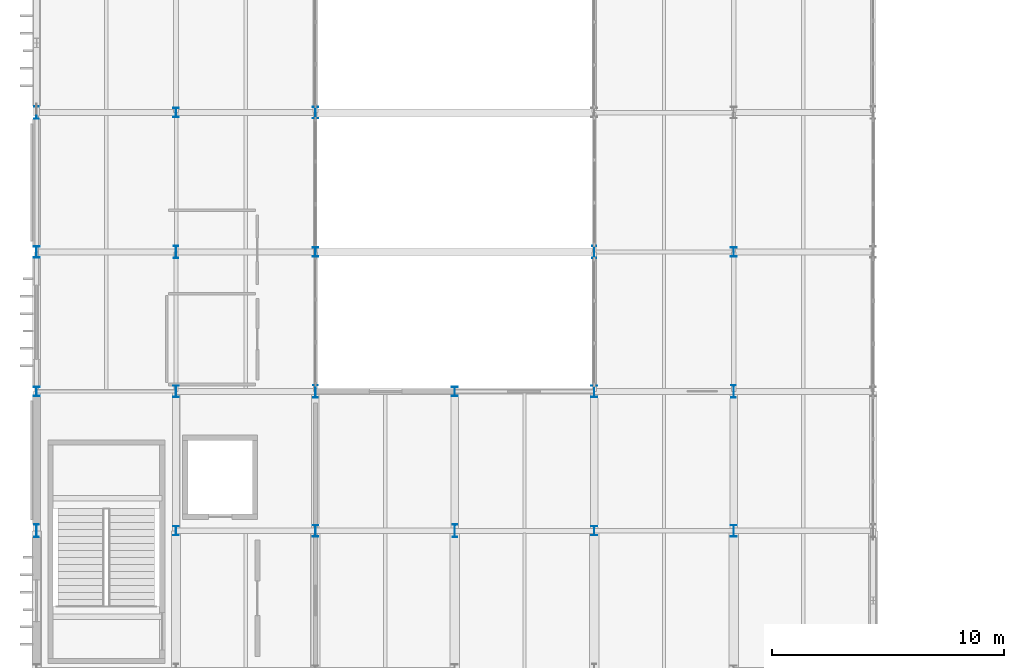
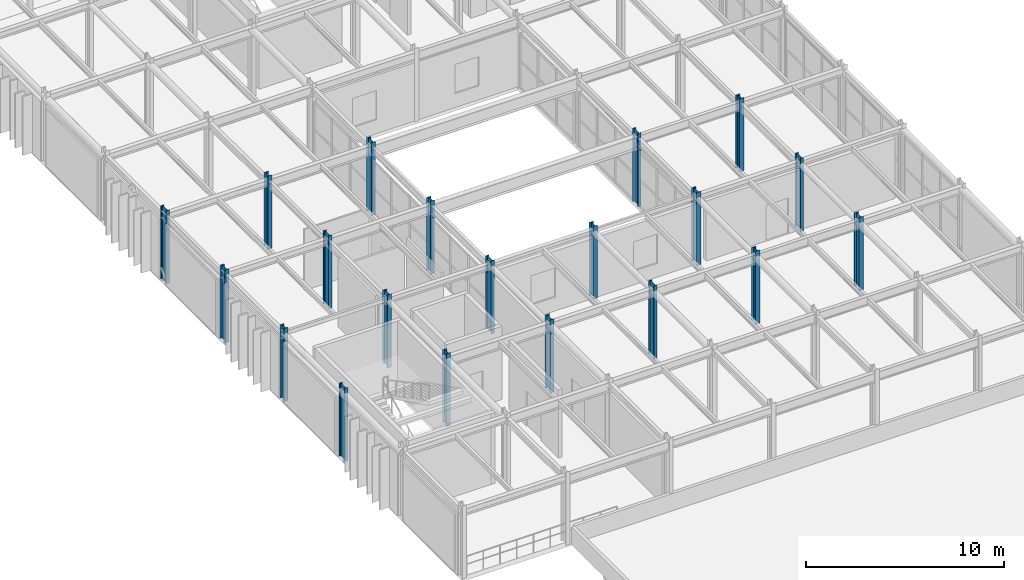
# One storey, part 3 of 84: 20 columns.
"""IFC4 building model written with IfcOpenShell, lengths in metres."""

from ifc_helpers import new_model, si_unit, direction, frame, origin, origin_2d, place, context, subcontext, project, spatial, i_section, extrude, material, material_profile, profile_set, type_object, element, save


model = new_model("IFC4")

# Units and contexts
model_context = context("Model", 3, precision=1e-05, world=origin(), true_north=direction((0.0, 1.0)))
body_context = subcontext(model_context, "Body", "Model", "MODEL_VIEW")
ifc_project = project(units=[si_unit("LENGTHUNIT", "METRE"), si_unit("AREAUNIT", "SQUARE_METRE"), si_unit("VOLUMEUNIT", "CUBIC_METRE"), si_unit("PLANEANGLEUNIT", "RADIAN"), si_unit("MASSUNIT", "GRAM", prefix="KILO")], contexts=[model_context])

# Site, building, storey
site_placement = place(None, origin())
site = spatial("IfcSite", under=ifc_project, at=site_placement, CompositionType="ELEMENT")
building_placement = place(site_placement, origin())
building = spatial("IfcBuilding", under=site, at=building_placement, Name="Varnakota Square Police Headquarters", CompositionType="ELEMENT")
storey_placement = place(building_placement, frame((0.0, 0.0, 13.5)))
storey = spatial("IfcBuildingStorey", under=building, at=storey_placement, Name="L03", CompositionType="ELEMENT", Elevation=13.5)

# Columns
ifc_material = material(Name="Steel IS 2062 Grade 350", Category="steel")
ifc_material_profile_1 = material_profile(ifc_material, i_section(OverallWidth=0.25, OverallDepth=0.39990234375, WebThickness=0.010498046875, FlangeThickness=0.0126953125, FilletRadius=0.013916015625, at=origin_2d()), Name="ISHB 400")
ifc_profile_set_1 = profile_set([ifc_material_profile_1], Name="Steel IS 2062 Grade 350")
column_type_1 = type_object("IfcColumnType", Name="COL-ISHB400", PredefinedType="COLUMN", material=ifc_profile_set_1)
for number, where, z_axis, x_axis, name in (
    (1, (6.0, 39.0, 0.0), (0.0, 0.0, 1.0), (1.0, 0.0, 0.0), "Column X0060-Y0390 L03"),
    (2, (12.0, 33.0, 0.0), (0.0, 0.0, 1.0), (1.0, 0.0, 0.0), "Column X0120-Y0330 L03"),
    (3, (12.0, 51.0, 0.0), (0.0, 0.0, 1.0), (1.0, 0.0, 0.0), "Column X0120-Y0510 L03"),
    (4, (18.0, 45.0, 0.0), (0.0, 0.0, 1.0), (1.0, 0.0, 0.0), "Column X0180-Y0450 L03"),
    (5, (24.0, 39.0, 0.0), (0.0, 0.0, 1.0), (1.0, 0.0, 0.0), "Column X0240-Y0390 L03"),
    (6, (30.0, 33.0, 0.0), (0.0, 0.0, 1.0), (1.0, 0.0, 0.0), "Column X0300-Y0330 L03"),
    (7, (36.0, 45.0, 0.0), (0.0, 0.0, 1.0), (1.0, 0.0, 0.0), "Column X0360-Y0450 L03"),
):
    element("IfcColumn", number, at=place(storey_placement, frame(where, z_axis=z_axis, x_axis=x_axis)), inside=storey, type_object=column_type_1, Name=name, PredefinedType="COLUMN", context=body_context, shape_type="SweptSolid", body=[
        extrude(i_section(OverallWidth=0.25, OverallDepth=0.39990234375, WebThickness=0.010498046875, FlangeThickness=0.0126953125, FilletRadius=0.013916015625, at=origin_2d()), origin(), (0.0, 0.0, 1.0), 4.5),
    ])
ifc_material_profile_2 = material_profile(ifc_material, i_section(OverallWidth=0.18994140625, OverallDepth=0.550048828125, WebThickness=0.01123046875, FlangeThickness=0.019287109375, FilletRadius=0.01806640625, at=origin_2d()), Name="ISMB 550")
ifc_profile_set_2 = profile_set([ifc_material_profile_2], Name="Steel IS 2062 Grade 350")
column_type_2 = type_object("IfcColumnType", Name="COL-ISMB550", PredefinedType="COLUMN", material=ifc_profile_set_2)
for number, where, z_axis, x_axis, name in (
    (8, (6.0, 33.0, 0.0), (0.0, 0.0, 1.0), (1.0, 0.0, 0.0), "Column X0060-Y0330 L03"),
    (9, (6.0, 51.0, 0.0), (0.0, 0.0, 1.0), (1.0, 0.0, 0.0), "Column X0060-Y0510 L03"),
    (10, (12.0, 45.0, 0.0), (0.0, 0.0, 1.0), (1.0, 0.0, 0.0), "Column X0120-Y0450 L03"),
    (11, (18.0, 39.0, 0.0), (0.0, 0.0, 1.0), (1.0, 0.0, 0.0), "Column X0180-Y0390 L03"),
    (12, (24.0, 33.0, 0.0), (0.0, 0.0, 1.0), (1.0, 0.0, 0.0), "Column X0240-Y0330 L03"),
    (13, (30.0, 45.0, 0.0), (0.0, 0.0, 1.0), (1.0, 0.0, 0.0), "Column X0300-Y0450 L03"),
    (14, (36.0, 39.0, 0.0), (0.0, 0.0, 1.0), (1.0, 0.0, 0.0), "Column X0360-Y0390 L03"),
):
    element("IfcColumn", number, at=place(storey_placement, frame(where, z_axis=z_axis, x_axis=x_axis)), inside=storey, type_object=column_type_2, Name=name, PredefinedType="COLUMN", context=body_context, shape_type="SweptSolid", body=[
        extrude(i_section(OverallWidth=0.18994140625, OverallDepth=0.550048828125, WebThickness=0.01123046875, FlangeThickness=0.019287109375, FilletRadius=0.01806640625, at=origin_2d()), origin(), (0.0, 0.0, 1.0), 4.5),
    ])
ifc_material_profile_3 = material_profile(ifc_material, i_section(OverallWidth=0.25, OverallDepth=0.5, WebThickness=0.010009765625, FlangeThickness=0.0146484375, FilletRadius=0.014892578125, at=origin_2d()), Name="ISWB 500")
ifc_profile_set_3 = profile_set([ifc_material_profile_3], Name="Steel IS 2062 Grade 350")
column_type_3 = type_object("IfcColumnType", Name="COL-ISWB500", PredefinedType="COLUMN", material=ifc_profile_set_3)
for number, where, z_axis, x_axis, name in (
    (15, (6.0, 45.0, 0.0), (0.0, 0.0, 1.0), (1.0, 0.0, 0.0), "Column X0060-Y0450 L03"),
    (16, (12.0, 39.0, 0.0), (0.0, 0.0, 1.0), (1.0, 0.0, 0.0), "Column X0120-Y0390 L03"),
    (17, (18.0, 33.0, 0.0), (0.0, 0.0, 1.0), (1.0, 0.0, 0.0), "Column X0180-Y0330 L03"),
    (18, (18.0, 51.0, 0.0), (0.0, 0.0, 1.0), (1.0, 0.0, 0.0), "Column X0180-Y0510 L03"),
    (19, (30.0, 39.0, 0.0), (0.0, 0.0, 1.0), (1.0, 0.0, 0.0), "Column X0300-Y0390 L03"),
    (20, (36.0, 33.0, 0.0), (0.0, 0.0, 1.0), (1.0, 0.0, 0.0), "Column X0360-Y0330 L03"),
):
    element("IfcColumn", number, at=place(storey_placement, frame(where, z_axis=z_axis, x_axis=x_axis)), inside=storey, type_object=column_type_3, Name=name, PredefinedType="COLUMN", context=body_context, shape_type="SweptSolid", body=[
        extrude(i_section(OverallWidth=0.25, OverallDepth=0.5, WebThickness=0.010009765625, FlangeThickness=0.0146484375, FilletRadius=0.014892578125, at=origin_2d()), origin(), (0.0, 0.0, 1.0), 4.5),
    ])

save(model, "model.ifc")
